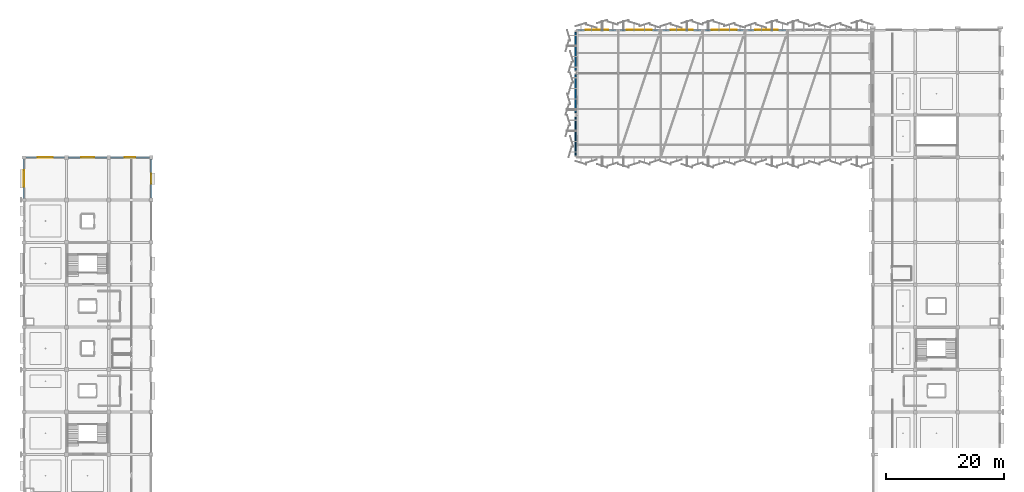
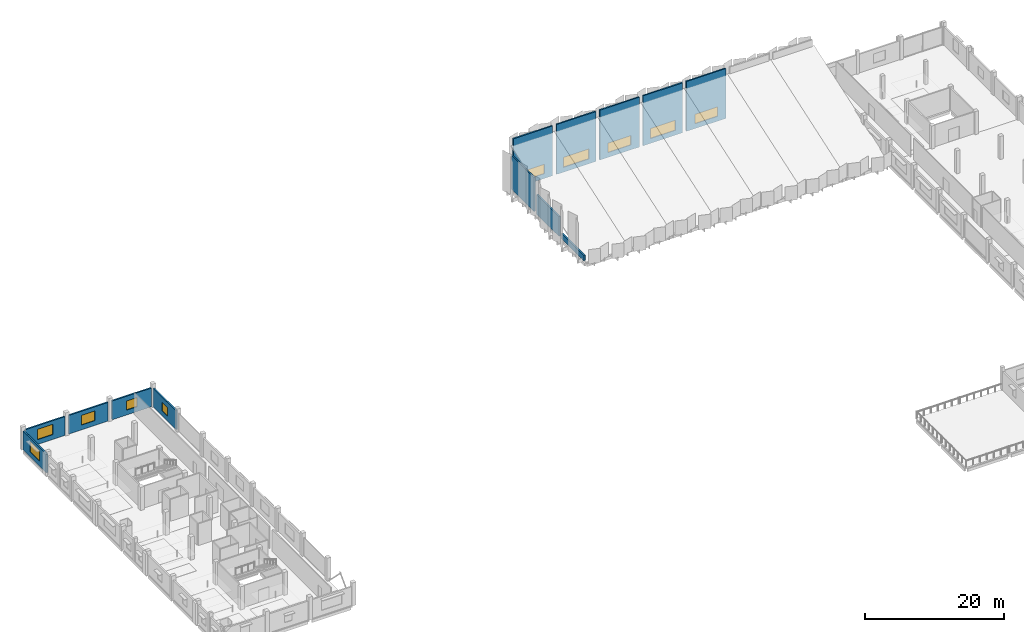
# One storey, part 41 of 59: 13 walls, 10 windows, 10 openings.
"""IFC4 building model written with IfcOpenShell, lengths in metres."""

from ifc_helpers import new_model, si_unit, direction, frame, frame_2d, origin, place, context, subcontext, project, spatial, rectangle, extrude, material, layer, layer_set, type_object, element, fill, save


model = new_model("IFC4")

# Units and contexts
model_context = context("Model", 3, precision=1e-05, world=origin(), true_north=direction((0.0, 1.0)))
body_context = subcontext(model_context, "Body", "Model", "MODEL_VIEW")
ifc_project = project(units=[si_unit("LENGTHUNIT", "METRE"), si_unit("AREAUNIT", "SQUARE_METRE"), si_unit("VOLUMEUNIT", "CUBIC_METRE"), si_unit("PLANEANGLEUNIT", "RADIAN"), si_unit("MASSUNIT", "GRAM", prefix="KILO")], contexts=[model_context])

# Site, building, storey
site_placement = place(None, origin())
site = spatial("IfcSite", under=ifc_project, at=site_placement, CompositionType="ELEMENT")
building_placement = place(site_placement, origin())
building = spatial("IfcBuilding", under=site, at=building_placement, Name="Kangsadwip Square Police Headquarters", CompositionType="ELEMENT")
storey_placement = place(building_placement, frame((0.0, 0.0, 21.60009765625)))
storey = spatial("IfcBuildingStorey", under=building, at=storey_placement, Name="L05", CompositionType="ELEMENT", Elevation=21.60009765625)

# Wall, opening, window
ifc_material_1 = material(Name="Glazed architectural terracotta masonry rainscreen", Category="masonry")
ifc_layer_1 = layer(ifc_material_1, 0.25)
ifc_layer_set_1 = layer_set([ifc_layer_1], Name="Glazed architectural terracotta masonry rainscreen")
wall_type_1 = type_object("IfcWallType", Name="ChicagoTerracottaWall250", PredefinedType="SOLIDWALL", material=ifc_layer_set_1)
wall_1_placement = place(storey_placement, frame((0.344970703125, 93.60009765625, 0.0), z_axis=(0.0, 0.0, 1.0), x_axis=(1.0, 0.0, 0.0)))
wall_1 = element("IfcWall", 1, at=wall_1_placement, inside=storey, type_object=wall_type_1, Name="Exterior Wall WE-L05-486", PredefinedType="SOLIDWALL", context=body_context, shape_type="SweptSolid", body=[
    extrude(rectangle(XDim=6.534912109375, YDim=0.25, at=frame_2d((3.267578125, 0.0))), origin(), (0.0, 0.0, 1.0), 3.294921875),
])
opening_1_placement = place(wall_1_placement, frame((1.967529296875, 0.0, 0.85009765625)))
opening_1 = element("IfcOpeningElement", 2, at=opening_1_placement, cuts=wall_1, Name="Opening WN-06", PredefinedType="OPENING", context=body_context, shape_type="SweptSolid", body=[
    extrude(rectangle(XDim=2.60009765625, YDim=1.800048828125, at=frame_2d((1.300048828125, 0.89990234375))), frame((0.0, 0.135009765625, 0.0), z_axis=(0.0, -1.0, 0.0), x_axis=(1.0, 0.0, 0.0)), (0.0, 0.0, 1.0), 0.27001953125),
])
ifc_material_2 = material(Name="Double-glazed solar-control low-E safety glass", Category="glass")
window_type_1 = type_object("IfcWindowType", Name="ChicagoDoubleMullWin2600x1800", PartitioningType="DOUBLE_PANEL_VERTICAL", PredefinedType="WINDOW", material=ifc_material_2)
window_1_placement = place(opening_1_placement, origin())
window_1 = element("IfcWindow", 3, at=window_1_placement, inside=storey, type_object=window_type_1, Name="Window WN-L05-0336", OverallHeight=1.800048828125, OverallWidth=2.60009765625, PartitioningType="SINGLE_PANEL", PredefinedType="WINDOW", context=body_context, shape_type="SweptSolid", body=[
    extrude(rectangle(XDim=2.60009765625, YDim=1.800048828125, at=frame_2d((1.300048828125, 0.89990234375))), frame((0.0, 0.030029296875, 0.0), z_axis=(0.0, -1.0, 0.0), x_axis=(1.0, 0.0, 0.0)), (0.0, 0.0, 1.0), 0.06005859375),
])
fill(opening_1, window_1)

wall_2_placement = place(storey_placement, frame((7.52001953125, 93.60009765625, 0.0), z_axis=(0.0, 0.0, 1.0), x_axis=(1.0, 0.0, 0.0)))
wall_2 = element("IfcWall", 4, at=wall_2_placement, inside=storey, type_object=wall_type_1, Name="Exterior Wall WE-L05-487", PredefinedType="SOLIDWALL", context=body_context, shape_type="SweptSolid", body=[
    extrude(rectangle(XDim=6.56005859375, YDim=0.25, at=frame_2d((3.280029296875, 0.0))), origin(), (0.0, 0.0, 1.0), 3.294921875),
])
opening_2_placement = place(wall_2_placement, frame((2.179931640625, 0.0, 0.85009765625)))
opening_2 = element("IfcOpeningElement", 5, at=opening_2_placement, cuts=wall_2, Name="Opening WN-08", PredefinedType="OPENING", context=body_context, shape_type="SweptSolid", body=[
    extrude(rectangle(XDim=2.199951171875, YDim=1.699951171875, at=frame_2d((1.10009765625, 0.85009765625))), frame((0.0, 0.135009765625, 0.0), z_axis=(0.0, -1.0, 0.0), x_axis=(1.0, 0.0, 0.0)), (0.0, 0.0, 1.0), 0.27001953125),
])
ifc_material_3 = material(Name="Double-glazed solar-control low-E safety glass", Category="glass")
window_type_2 = type_object("IfcWindowType", Name="ChicagoDoubleMullWin2200x1700", PartitioningType="DOUBLE_PANEL_VERTICAL", PredefinedType="WINDOW", material=ifc_material_3)
window_2_placement = place(opening_2_placement, origin())
window_2 = element("IfcWindow", 6, at=window_2_placement, inside=storey, type_object=window_type_2, Name="Window WN-L05-0337", OverallHeight=1.699951171875, OverallWidth=2.199951171875, PartitioningType="SINGLE_PANEL", PredefinedType="WINDOW", context=body_context, shape_type="SweptSolid", body=[
    extrude(rectangle(XDim=2.199951171875, YDim=1.699951171875, at=frame_2d((1.10009765625, 0.85009765625))), frame((0.0, 0.030029296875, 0.0), z_axis=(0.0, -1.0, 0.0), x_axis=(1.0, 0.0, 0.0)), (0.0, 0.0, 1.0), 0.06005859375),
])
fill(opening_2, window_2)

wall_3_placement = place(storey_placement, frame((14.719970703125, 93.60009765625, 0.0), z_axis=(0.0, 0.0, 1.0), x_axis=(1.0, 0.0, 0.0)))
wall_3 = element("IfcWall", 7, at=wall_3_placement, inside=storey, type_object=wall_type_1, Name="Exterior Wall WE-L05-488", PredefinedType="SOLIDWALL", context=body_context, shape_type="SweptSolid", body=[
    extrude(rectangle(XDim=6.56005859375, YDim=0.25, at=frame_2d((3.280029296875, 0.0))), origin(), (0.0, 0.0, 1.0), 3.294921875),
])
opening_3_placement = place(wall_3_placement, frame((2.3798828125, 0.0, 0.85009765625)))
opening_3 = element("IfcOpeningElement", 8, at=opening_3_placement, cuts=wall_3, Name="Opening WN-10", PredefinedType="OPENING", context=body_context, shape_type="SweptSolid", body=[
    extrude(rectangle(XDim=1.800048828125, YDim=1.60009765625, at=frame_2d((0.89990234375, 0.800048828125))), frame((0.0, 0.135009765625, 0.0), z_axis=(0.0, -1.0, 0.0), x_axis=(1.0, 0.0, 0.0)), (0.0, 0.0, 1.0), 0.27001953125),
])
ifc_material_4 = material(Name="Double-glazed solar-control low-E safety glass", Category="glass")
window_type_3 = type_object("IfcWindowType", Name="LabCleanViewWin1800x1600", PartitioningType="DOUBLE_PANEL_VERTICAL", PredefinedType="WINDOW", material=ifc_material_4)
window_3_placement = place(opening_3_placement, origin())
window_3 = element("IfcWindow", 9, at=window_3_placement, inside=storey, type_object=window_type_3, Name="Window WN-L05-0338", OverallHeight=1.60009765625, OverallWidth=1.800048828125, PartitioningType="SINGLE_PANEL", PredefinedType="WINDOW", context=body_context, shape_type="SweptSolid", body=[
    extrude(rectangle(XDim=1.800048828125, YDim=1.60009765625, at=frame_2d((0.89990234375, 0.800048828125))), frame((0.0, 0.030029296875, 0.0), z_axis=(0.0, -1.0, 0.0), x_axis=(1.0, 0.0, 0.0)), (0.0, 0.0, 1.0), 0.06005859375),
])
fill(opening_3, window_3)

wall_4_placement = place(storey_placement, frame((0.0, 86.64501953125, 0.0), z_axis=(0.0, 0.0, 1.0), x_axis=(0.0, 1.0, 0.0)))
wall_4 = element("IfcWall", 10, at=wall_4_placement, inside=storey, type_object=wall_type_1, Name="Exterior Wall WE-L05-501", PredefinedType="SOLIDWALL", context=body_context, shape_type="SweptSolid", body=[
    extrude(rectangle(XDim=6.7099609375, YDim=0.25, at=frame_2d((3.35498046875, 0.0))), origin(), (0.0, 0.0, 1.0), 3.294921875),
])
opening_4_placement = place(wall_4_placement, frame((1.955078125, 0.0, 0.85009765625)))
opening_4 = element("IfcOpeningElement", 11, at=opening_4_placement, cuts=wall_4, Name="Opening WN-05", PredefinedType="OPENING", context=body_context, shape_type="SweptSolid", body=[
    extrude(rectangle(XDim=2.800048828125, YDim=1.85009765625, at=frame_2d((1.39990234375, 0.925048828125))), frame((0.0, 0.135009765625, 0.0), z_axis=(0.0, -1.0, 0.0), x_axis=(1.0, 0.0, 0.0)), (0.0, 0.0, 1.0), 0.27001953125),
])
ifc_material_5 = material(Name="Double-glazed solar-control low-E safety glass", Category="glass")
window_type_4 = type_object("IfcWindowType", Name="ChicagoDoubleMullWin2800x1850", PartitioningType="DOUBLE_PANEL_VERTICAL", PredefinedType="WINDOW", material=ifc_material_5)
window_4_placement = place(opening_4_placement, origin())
window_4 = element("IfcWindow", 12, at=window_4_placement, inside=storey, type_object=window_type_4, Name="Window WN-L05-0351", OverallHeight=1.85009765625, OverallWidth=2.800048828125, PartitioningType="SINGLE_PANEL", PredefinedType="WINDOW", context=body_context, shape_type="SweptSolid", body=[
    extrude(rectangle(XDim=2.800048828125, YDim=1.85009765625, at=frame_2d((1.39990234375, 0.925048828125))), frame((0.0, 0.030029296875, 0.0), z_axis=(0.0, -1.0, 0.0), x_axis=(1.0, 0.0, 0.0)), (0.0, 0.0, 1.0), 0.06005859375),
])
fill(opening_4, window_4)

wall_5_placement = place(storey_placement, frame((21.60009765625, 86.719970703125, 0.0), z_axis=(0.0, 0.0, 1.0), x_axis=(0.0, 1.0, 0.0)))
wall_5 = element("IfcWall", 13, at=wall_5_placement, inside=storey, type_object=wall_type_1, Name="Exterior Wall WE-L05-506", PredefinedType="SOLIDWALL", context=body_context, shape_type="SweptSolid", body=[
    extrude(rectangle(XDim=6.56005859375, YDim=0.25, at=frame_2d((3.280029296875, 0.0))), origin(), (0.0, 0.0, 1.0), 3.294921875),
])
opening_5_placement = place(wall_5_placement, frame((2.455078125, 0.0, 0.85009765625)))
opening_5 = element("IfcOpeningElement", 14, at=opening_5_placement, cuts=wall_5, Name="Opening WN-11", PredefinedType="OPENING", context=body_context, shape_type="SweptSolid", body=[
    extrude(rectangle(XDim=1.64990234375, YDim=1.550048828125, at=frame_2d((0.824951171875, 0.77490234375))), frame((0.0, 0.135009765625, 0.0), z_axis=(0.0, -1.0, 0.0), x_axis=(1.0, 0.0, 0.0)), (0.0, 0.0, 1.0), 0.27001953125),
])
ifc_material_6 = material(Name="Double-glazed solar-control low-E safety glass", Category="glass")
window_type_5 = type_object("IfcWindowType", Name="LabCleanViewWin1650x1550", PartitioningType="SINGLE_PANEL", PredefinedType="WINDOW", material=ifc_material_6)
window_5_placement = place(opening_5_placement, origin())
window_5 = element("IfcWindow", 15, at=window_5_placement, inside=storey, type_object=window_type_5, Name="Window WN-L05-0356", OverallHeight=1.550048828125, OverallWidth=1.64990234375, PartitioningType="SINGLE_PANEL", PredefinedType="WINDOW", context=body_context, shape_type="SweptSolid", body=[
    extrude(rectangle(XDim=1.64990234375, YDim=1.550048828125, at=frame_2d((0.824951171875, 0.77490234375))), frame((0.0, 0.030029296875, 0.0), z_axis=(0.0, -1.0, 0.0), x_axis=(1.0, 0.0, 0.0)), (0.0, 0.0, 1.0), 0.06005859375),
])
fill(opening_5, window_5)

ifc_material_7 = material(Name="Autoclaved aerated blockwork with terracotta brick veneer", Category="masonry")
ifc_layer_2 = layer(ifc_material_7, 0.22998046875)
ifc_layer_set_2 = layer_set([ifc_layer_2], Name="Autoclaved aerated blockwork with terracotta brick veneer")
wall_type_2 = type_object("IfcWallType", Name="ClerestoryGableWall230", PredefinedType="SOLIDWALL", material=ifc_layer_set_2)
wall_6_placement = place(storey_placement, frame((93.919921875, 115.199951171875, -0.22021484375), z_axis=(0.0, 0.0, 1.0), x_axis=(1.0, 0.0, 0.0)))
wall_6 = element("IfcWall", 16, at=wall_6_placement, inside=storey, type_object=wall_type_2, Name="Exterior Wall WE-L05-614", PredefinedType="SOLIDWALL", context=body_context, shape_type="SweptSolid", body=[
    extrude(rectangle(XDim=6.56005859375, YDim=0.22998046875, at=frame_2d((3.280029296875, 0.0))), origin(), (0.0, 0.0, 1.0), 8.77001953125),
])
opening_6_placement = place(wall_6_placement, frame((1.3798828125, 0.0, 0.85009765625)))
opening_6 = element("IfcOpeningElement", 17, at=opening_6_placement, cuts=wall_6, Name="Opening NL-02", PredefinedType="OPENING", context=body_context, shape_type="SweptSolid", body=[
    extrude(rectangle(XDim=3.800048828125, YDim=1.64990234375, at=frame_2d((1.89990234375, 0.824951171875))), frame((0.0, 0.125, 0.0), z_axis=(0.0, -1.0, 0.0), x_axis=(1.0, 0.0, 0.0)), (0.0, 0.0, 1.0), 0.25),
])
ifc_material_8 = material(Name="Double-glazed solar-control low-E safety glass", Category="glass")
window_type_6 = type_object("IfcWindowType", Name="SawtoothNorthLight3800x1650", PartitioningType="TRIPLE_PANEL_HORIZONTAL", PredefinedType="LIGHTDOME", material=ifc_material_8)
window_6_placement = place(opening_6_placement, origin())
window_6 = element("IfcWindow", 18, at=window_6_placement, inside=storey, type_object=window_type_6, Name="Window WN-L05-0460", OverallHeight=1.64990234375, OverallWidth=3.800048828125, PartitioningType="SINGLE_PANEL", PredefinedType="LIGHTDOME", context=body_context, shape_type="SweptSolid", body=[
    extrude(rectangle(XDim=3.800048828125, YDim=1.64990234375, at=frame_2d((1.89990234375, 0.824951171875))), frame((0.0, 0.030029296875, 0.0), z_axis=(0.0, -1.0, 0.0), x_axis=(1.0, 0.0, 0.0)), (0.0, 0.0, 1.0), 0.06005859375),
])
fill(opening_6, window_6)

wall_7_placement = place(storey_placement, frame((101.1201171875, 115.199951171875, -0.22021484375), z_axis=(0.0, 0.0, 1.0), x_axis=(1.0, 0.0, 0.0)))
wall_7 = element("IfcWall", 19, at=wall_7_placement, inside=storey, type_object=wall_type_2, Name="Exterior Wall WE-L05-615", PredefinedType="SOLIDWALL", context=body_context, shape_type="SweptSolid", body=[
    extrude(rectangle(XDim=6.559814453125, YDim=0.22998046875, at=frame_2d((3.27978515625, 0.0))), origin(), (0.0, 0.0, 1.0), 8.77001953125),
])
opening_7_placement = place(wall_7_placement, frame((1.179931640625, 0.0, 0.85009765625)))
opening_7 = element("IfcOpeningElement", 20, at=opening_7_placement, cuts=wall_7, Name="Opening NL-01", PredefinedType="OPENING", context=body_context, shape_type="SweptSolid", body=[
    extrude(rectangle(XDim=4.199951171875, YDim=1.75, at=frame_2d((2.10009765625, 0.875))), frame((0.0, 0.125, 0.0), z_axis=(0.0, -1.0, 0.0), x_axis=(1.0, 0.0, 0.0)), (0.0, 0.0, 1.0), 0.25),
])
ifc_material_9 = material(Name="Double-glazed solar-control low-E safety glass", Category="glass")
window_type_7 = type_object("IfcWindowType", Name="SawtoothNorthLight4200x1750", PartitioningType="TRIPLE_PANEL_HORIZONTAL", PredefinedType="LIGHTDOME", material=ifc_material_9)
window_7_placement = place(opening_7_placement, origin())
window_7 = element("IfcWindow", 21, at=window_7_placement, inside=storey, type_object=window_type_7, Name="Window WN-L05-0461", OverallHeight=1.75, OverallWidth=4.199951171875, PartitioningType="SINGLE_PANEL", PredefinedType="LIGHTDOME", context=body_context, shape_type="SweptSolid", body=[
    extrude(rectangle(XDim=4.199951171875, YDim=1.75, at=frame_2d((2.10009765625, 0.875))), frame((0.0, 0.030029296875, 0.0), z_axis=(0.0, -1.0, 0.0), x_axis=(1.0, 0.0, 0.0)), (0.0, 0.0, 1.0), 0.06005859375),
])
fill(opening_7, window_7)

wall_8_placement = place(storey_placement, frame((108.320068359375, 115.199951171875, -0.22021484375), z_axis=(0.0, 0.0, 1.0), x_axis=(1.0, 0.0, 0.0)))
wall_8 = element("IfcWall", 22, at=wall_8_placement, inside=storey, type_object=wall_type_2, Name="Exterior Wall WE-L05-616", PredefinedType="SOLIDWALL", context=body_context, shape_type="SweptSolid", body=[
    extrude(rectangle(XDim=6.559814453125, YDim=0.22998046875, at=frame_2d((3.27978515625, 0.0))), origin(), (0.0, 0.0, 1.0), 8.77001953125),
])
opening_8_placement = place(wall_8_placement, frame((1.3798828125, 0.0, 0.85009765625)))
opening_8 = element("IfcOpeningElement", 23, at=opening_8_placement, cuts=wall_8, Name="Opening NL-02", PredefinedType="OPENING", context=body_context, shape_type="SweptSolid", body=[
    extrude(rectangle(XDim=3.800048828125, YDim=1.64990234375, at=frame_2d((1.89990234375, 0.824951171875))), frame((0.0, 0.125, 0.0), z_axis=(0.0, -1.0, 0.0), x_axis=(1.0, 0.0, 0.0)), (0.0, 0.0, 1.0), 0.25),
])
window_8_placement = place(opening_8_placement, origin())
window_8 = element("IfcWindow", 24, at=window_8_placement, inside=storey, type_object=window_type_6, Name="Window WN-L05-0462", OverallHeight=1.64990234375, OverallWidth=3.800048828125, PartitioningType="SINGLE_PANEL", PredefinedType="LIGHTDOME", context=body_context, shape_type="SweptSolid", body=[
    extrude(rectangle(XDim=3.800048828125, YDim=1.64990234375, at=frame_2d((1.89990234375, 0.824951171875))), frame((0.0, 0.030029296875, 0.0), z_axis=(0.0, -1.0, 0.0), x_axis=(1.0, 0.0, 0.0)), (0.0, 0.0, 1.0), 0.06005859375),
])
fill(opening_8, window_8)

wall_9_placement = place(storey_placement, frame((115.52001953125, 115.199951171875, -0.22021484375), z_axis=(0.0, 0.0, 1.0), x_axis=(1.0, 0.0, 0.0)))
wall_9 = element("IfcWall", 25, at=wall_9_placement, inside=storey, type_object=wall_type_2, Name="Exterior Wall WE-L05-617", PredefinedType="SOLIDWALL", context=body_context, shape_type="SweptSolid", body=[
    extrude(rectangle(XDim=6.56005859375, YDim=0.22998046875, at=frame_2d((3.280029296875, 0.0))), origin(), (0.0, 0.0, 1.0), 8.77001953125),
])
opening_9_placement = place(wall_9_placement, frame((1.179931640625, 0.0, 0.85009765625)))
opening_9 = element("IfcOpeningElement", 26, at=opening_9_placement, cuts=wall_9, Name="Opening NL-01", PredefinedType="OPENING", context=body_context, shape_type="SweptSolid", body=[
    extrude(rectangle(XDim=4.199951171875, YDim=1.75, at=frame_2d((2.10009765625, 0.875))), frame((0.0, 0.125, 0.0), z_axis=(0.0, -1.0, 0.0), x_axis=(1.0, 0.0, 0.0)), (0.0, 0.0, 1.0), 0.25),
])
window_9_placement = place(opening_9_placement, origin())
window_9 = element("IfcWindow", 27, at=window_9_placement, inside=storey, type_object=window_type_7, Name="Window WN-L05-0463", OverallHeight=1.75, OverallWidth=4.199951171875, PartitioningType="SINGLE_PANEL", PredefinedType="LIGHTDOME", context=body_context, shape_type="SweptSolid", body=[
    extrude(rectangle(XDim=4.199951171875, YDim=1.75, at=frame_2d((2.10009765625, 0.875))), frame((0.0, 0.030029296875, 0.0), z_axis=(0.0, -1.0, 0.0), x_axis=(1.0, 0.0, 0.0)), (0.0, 0.0, 1.0), 0.06005859375),
])
fill(opening_9, window_9)

wall_10_placement = place(storey_placement, frame((122.719970703125, 115.199951171875, -0.22021484375), z_axis=(0.0, 0.0, 1.0), x_axis=(1.0, 0.0, 0.0)))
wall_10 = element("IfcWall", 28, at=wall_10_placement, inside=storey, type_object=wall_type_2, Name="Exterior Wall WE-L05-618", PredefinedType="SOLIDWALL", context=body_context, shape_type="SweptSolid", body=[
    extrude(rectangle(XDim=6.56005859375, YDim=0.22998046875, at=frame_2d((3.280029296875, 0.0))), origin(), (0.0, 0.0, 1.0), 8.77001953125),
])
opening_10_placement = place(wall_10_placement, frame((1.3798828125, 0.0, 0.85009765625)))
opening_10 = element("IfcOpeningElement", 29, at=opening_10_placement, cuts=wall_10, Name="Opening NL-02", PredefinedType="OPENING", context=body_context, shape_type="SweptSolid", body=[
    extrude(rectangle(XDim=3.800048828125, YDim=1.64990234375, at=frame_2d((1.89990234375, 0.824951171875))), frame((0.0, 0.125, 0.0), z_axis=(0.0, -1.0, 0.0), x_axis=(1.0, 0.0, 0.0)), (0.0, 0.0, 1.0), 0.25),
])
window_10_placement = place(opening_10_placement, origin())
window_10 = element("IfcWindow", 30, at=window_10_placement, inside=storey, type_object=window_type_6, Name="Window WN-L05-0464", OverallHeight=1.64990234375, OverallWidth=3.800048828125, PartitioningType="SINGLE_PANEL", PredefinedType="LIGHTDOME", context=body_context, shape_type="SweptSolid", body=[
    extrude(rectangle(XDim=3.800048828125, YDim=1.64990234375, at=frame_2d((1.89990234375, 0.824951171875))), frame((0.0, 0.030029296875, 0.0), z_axis=(0.0, -1.0, 0.0), x_axis=(1.0, 0.0, 0.0)), (0.0, 0.0, 1.0), 0.06005859375),
])
fill(opening_10, window_10)

# Walls
wall_11_placement = place(storey_placement, frame((93.60009765625, 93.97998046875, 0.0), z_axis=(0.0, 0.0, 1.0), x_axis=(0.0, 1.0, 0.0)))
element("IfcWall", 31, at=wall_11_placement, inside=storey, type_object=wall_type_2, Name="Exterior Wall WE-L05-621", PredefinedType="SOLIDWALL", context=body_context, shape_type="SweptSolid", body=[
    extrude(rectangle(XDim=6.43994140625, YDim=0.22998046875, at=frame_2d((3.219970703125, 0.0))), origin(), (0.0, 0.0, 1.0), 1.01318359375),
])
wall_12_placement = place(storey_placement, frame((93.60009765625, 101.179931640625, 0.0), z_axis=(0.0, 0.0, 1.0), x_axis=(0.0, 1.0, 0.0)))
element("IfcWall", 32, at=wall_12_placement, inside=storey, type_object=wall_type_2, Name="Exterior Wall WE-L05-622", PredefinedType="SOLIDWALL", context=body_context, shape_type="SweptSolid", body=[
    extrude(rectangle(XDim=6.440185546875, YDim=0.22998046875, at=frame_2d((3.22021484375, 0.0))), origin(), (0.0, 0.0, 1.0), 3.47998046875),
])
wall_13_placement = place(storey_placement, frame((93.60009765625, 108.3798828125, 0.0), z_axis=(0.0, 0.0, 1.0), x_axis=(0.0, 1.0, 0.0)))
element("IfcWall", 33, at=wall_13_placement, inside=storey, type_object=wall_type_2, Name="Exterior Wall WE-L05-623", PredefinedType="SOLIDWALL", context=body_context, shape_type="SweptSolid", body=[
    extrude(rectangle(XDim=6.440185546875, YDim=0.22998046875, at=frame_2d((3.22021484375, 0.0))), origin(), (0.0, 0.0, 1.0), 5.946533203125),
])

save(model, "model.ifc")
